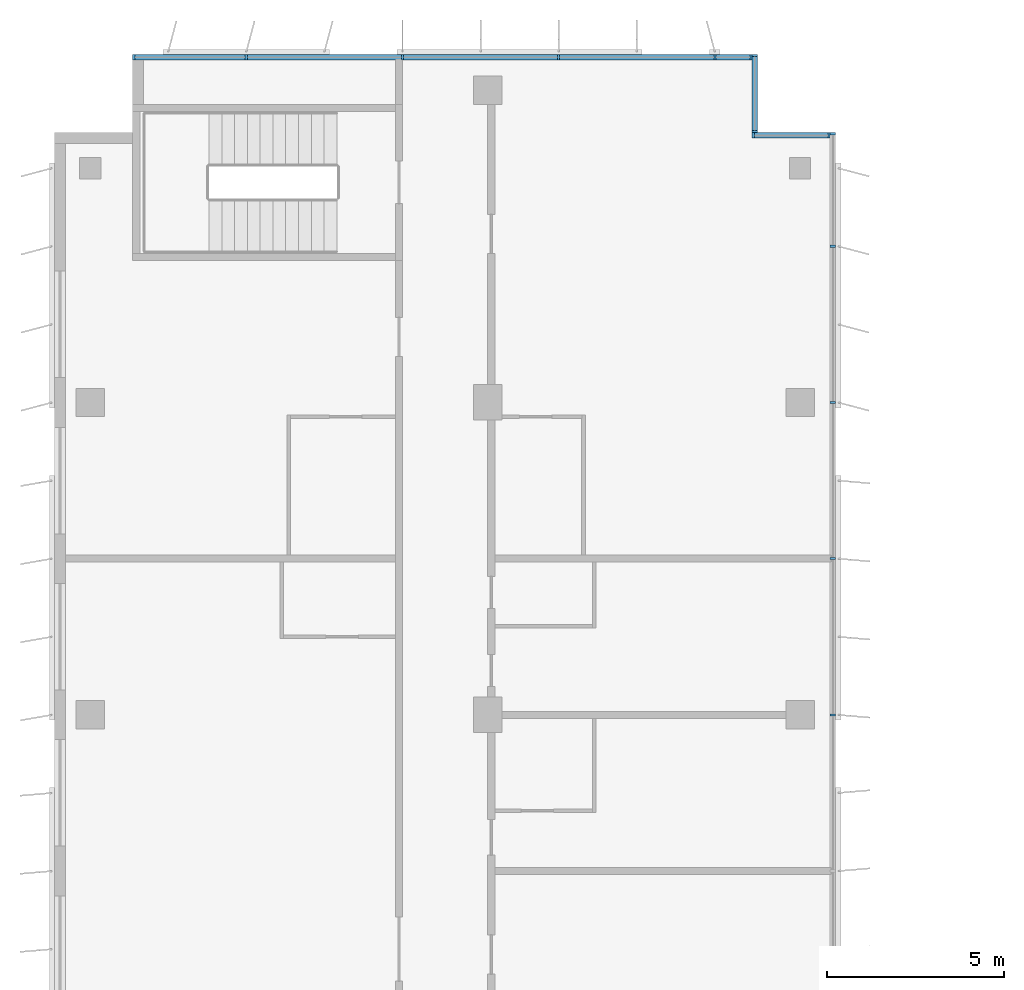
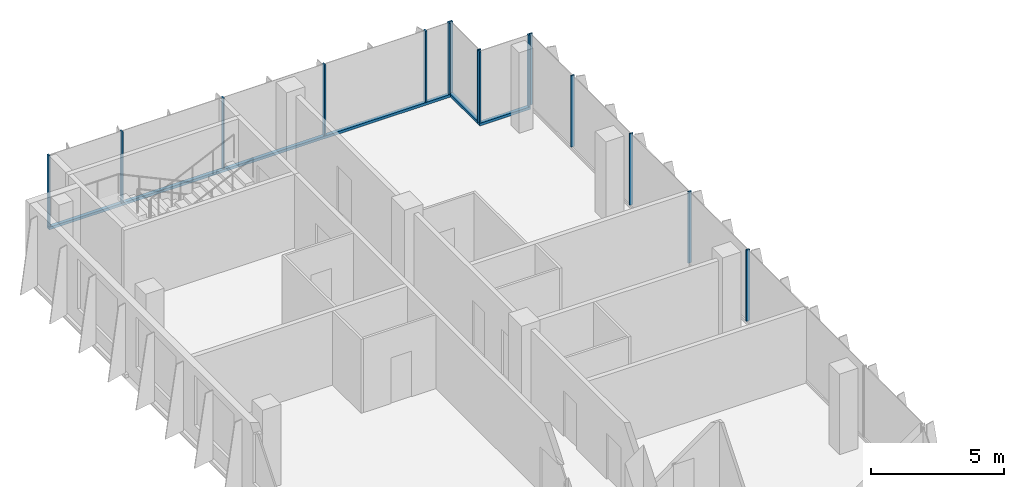
# One storey, part 6 of 15: 18 members, 4 elements without a shape of their own.
"""IFC4 building model written with IfcOpenShell, lengths in metres."""

from ifc_helpers import new_model, si_unit, direction, frame, origin, origin_2d, place, context, subcontext, project, spatial, rectangle, extrude, source, transform, mapped, material, material_profile, profile_set, type_object, element, aggregate, save


model = new_model("IFC4")

# Units and contexts
model_context = context("Model", 3, precision=1e-05, world=origin(), true_north=direction((0.0, 1.0)))
body_context = subcontext(model_context, "Body", "Model", "MODEL_VIEW")
ifc_project = project(units=[si_unit("LENGTHUNIT", "METRE"), si_unit("AREAUNIT", "SQUARE_METRE"), si_unit("VOLUMEUNIT", "CUBIC_METRE"), si_unit("PLANEANGLEUNIT", "RADIAN"), si_unit("MASSUNIT", "GRAM", prefix="KILO")], contexts=[model_context])

# Site, building, storey
site_placement = place(None, origin())
site = spatial("IfcSite", under=ifc_project, at=site_placement, CompositionType="ELEMENT")
building_placement = place(site_placement, origin())
building = spatial("IfcBuilding", under=site, at=building_placement, Name="Kemantara Hotel Tower", CompositionType="ELEMENT")
storey_placement = place(building_placement, frame((0.0, 0.0, 275.89990234375)))
storey = spatial("IfcBuildingStorey", under=building, at=storey_placement, Name="L69", CompositionType="ELEMENT", Elevation=275.89990234375)

# Curtain wall, member
ifc_material_1 = material(Name="Low-E tinted double insulated glass 36 mm", Category="glass")
curtain_wall_type = type_object("IfcCurtainWallType", Name="TOWER CURTAIN WALL, FRONT FACES", PredefinedType="USERDEFINED", material=ifc_material_1)
curtain_wall_1_placement = place(storey_placement, origin())
curtain_wall_1 = element("IfcCurtainWall", 1, at=curtain_wall_1_placement, inside=storey, type_object=curtain_wall_type, Name="CW4 L69 T4-R02-1", ObjectType="TOWER CURTAIN WALL, FRONT FACES", PredefinedType="USERDEFINED")
ifc_material_2 = material(Name="Aluminium 6063-T6 bronze anodised", Category="aluminium")
ifc_material_profile_1 = material_profile(ifc_material_2, rectangle(XDim=0.14990234375, YDim=0.1201171875, at=origin_2d()), Name="TOWER CURTAIN WALL, FRONT FACES TRANSOM")
ifc_profile_set_1 = profile_set([ifc_material_profile_1], Name="Aluminium 6063-T6 bronze anodised")
member_type_1 = type_object("IfcMemberType", Name="TOWER CURTAIN WALL, FRONT FACES TRANSOM", PredefinedType="USERDEFINED", material=ifc_profile_set_1)
member_1_placement = place(storey_placement, frame((19.64990234375, 63.52490234375, 0.06005859375), z_axis=(-1.0, 0.0, 0.0), x_axis=(0.0, -1.0, 0.0)))
member_1 = element("IfcMember", 2, at=member_1_placement, type_object=member_type_1, Name="CW4 sill transom T4-R02-1", ObjectType="TRANSOM", PredefinedType="USERDEFINED", context=body_context, shape_type="SweptSolid", body=[
    extrude(rectangle(XDim=0.14990234375, YDim=0.1201171875, at=origin_2d()), origin(), (0.0, 0.0, 1.0), 17.449951171875),
])

curtain_wall_2_placement = place(storey_placement, origin())
curtain_wall_2 = element("IfcCurtainWall", 3, at=curtain_wall_2_placement, inside=storey, type_object=curtain_wall_type, Name="CW4 L69 T4-R00-1", ObjectType="TOWER CURTAIN WALL, FRONT FACES", PredefinedType="USERDEFINED")
member_2_placement = place(storey_placement, frame((21.85009765625, 61.324951171875, 0.06005859375), z_axis=(-1.0, 0.0, 0.0), x_axis=(0.0, -1.0, 0.0)))
member_2 = element("IfcMember", 4, at=member_2_placement, type_object=member_type_1, Name="CW4 sill transom T4-R00-1", ObjectType="TRANSOM", PredefinedType="USERDEFINED", context=body_context, shape_type="SweptSolid", body=[
    extrude(rectangle(XDim=0.14990234375, YDim=0.1201171875, at=origin_2d()), origin(), (0.0, 0.0, 1.0), 2.2001953125),
])

curtain_wall_3_placement = place(storey_placement, origin())
curtain_wall_3 = element("IfcCurtainWall", 5, at=curtain_wall_3_placement, inside=storey, type_object=curtain_wall_type, Name="CW4 L69 T4-R01-1", ObjectType="TOWER CURTAIN WALL, FRONT FACES", PredefinedType="USERDEFINED")
member_3_placement = place(storey_placement, frame((19.72509765625, 61.39990234375, 0.06005859375), z_axis=(0.0, 1.0, 0.0), x_axis=(-1.0, 0.0, 0.0)))
member_3 = element("IfcMember", 6, at=member_3_placement, type_object=member_type_1, Name="CW4 sill transom T4-R01-1", ObjectType="TRANSOM", PredefinedType="USERDEFINED", context=body_context, shape_type="SweptSolid", body=[
    extrude(rectangle(XDim=0.14990234375, YDim=0.1201171875, at=origin_2d()), origin(), (0.0, 0.0, 1.0), 2.2001953125),
])

# Member
ifc_material_profile_2 = material_profile(ifc_material_2, rectangle(XDim=0.14990234375, YDim=0.06005859375, at=origin_2d()), Name="TOWER CURTAIN WALL, FRONT FACES MULLION")
ifc_profile_set_2 = profile_set([ifc_material_profile_2], Name="Aluminium 6063-T6 bronze anodised")
member_type_2 = type_object("IfcMemberType", Name="TOWER CURTAIN WALL, FRONT FACES MULLION", PredefinedType="MULLION", material=ifc_profile_set_2)
shared_shape = source(origin(), body_context, "Body", "SweptSolid", [
    extrude(rectangle(XDim=0.14990234375, YDim=0.06005859375, at=origin_2d()), origin(), (0.0, 0.0, 1.0), 3.280029296875),
])
member_4_placement = place(storey_placement, frame((19.6201171875, 63.52490234375, 0.1201171875), z_axis=(0.0, 0.0, 1.0), x_axis=(0.0, -1.0, 0.0)))
member_4 = element("IfcMember", 7, at=member_4_placement, type_object=member_type_2, Name="CW4 mullion T4-R02-1.1", PredefinedType="MULLION", context=body_context, shape_type="MappedRepresentation", body=[
    mapped(shared_shape, transform((0.0, 0.0, 0.0))),
])

member_5_placement = place(storey_placement, frame((18.60009765625, 63.52490234375, 0.1201171875), z_axis=(0.0, 0.0, 1.0), x_axis=(0.0, -1.0, 0.0)))
member_5 = element("IfcMember", 8, at=member_5_placement, type_object=member_type_2, Name="CW4 mullion T4-R02-1.2", PredefinedType="MULLION", context=body_context, shape_type="MappedRepresentation", body=[
    mapped(shared_shape, transform((0.0, 0.0, 0.0))),
])

member_6_placement = place(storey_placement, frame((14.199951171875, 63.52490234375, 0.1201171875), z_axis=(0.0, 0.0, 1.0), x_axis=(0.0, -1.0, 0.0)))
member_6 = element("IfcMember", 9, at=member_6_placement, type_object=member_type_2, Name="CW4 mullion T4-R02-1.3", PredefinedType="MULLION", context=body_context, shape_type="MappedRepresentation", body=[
    mapped(shared_shape, transform((0.0, 0.0, 0.0))),
])

member_7_placement = place(storey_placement, frame((9.800048828125, 63.52490234375, 0.1201171875), z_axis=(0.0, 0.0, 1.0), x_axis=(0.0, -1.0, 0.0)))
member_7 = element("IfcMember", 10, at=member_7_placement, type_object=member_type_2, Name="CW4 mullion T4-R02-1.4", PredefinedType="MULLION", context=body_context, shape_type="MappedRepresentation", body=[
    mapped(shared_shape, transform((0.0, 0.0, 0.0))),
])

member_8_placement = place(storey_placement, frame((5.39990234375, 63.52490234375, 0.1201171875), z_axis=(0.0, 0.0, 1.0), x_axis=(0.0, -1.0, 0.0)))
member_8 = element("IfcMember", 11, at=member_8_placement, type_object=member_type_2, Name="CW4 mullion T4-R02-1.5", PredefinedType="MULLION", context=body_context, shape_type="MappedRepresentation", body=[
    mapped(shared_shape, transform((0.0, 0.0, 0.0))),
])

member_9_placement = place(storey_placement, frame((2.22998046875, 63.52490234375, 0.1201171875), z_axis=(0.0, 0.0, 1.0), x_axis=(0.0, -1.0, 0.0)))
member_9 = element("IfcMember", 12, at=member_9_placement, type_object=member_type_2, Name="CW4 mullion T4-R02-1.6", PredefinedType="MULLION", context=body_context, shape_type="MappedRepresentation", body=[
    mapped(shared_shape, transform((0.0, 0.0, 0.0))),
])

aggregate(curtain_wall_1, [member_1, member_4, member_5, member_6, member_7, member_8, member_9])

# Curtain wall, members
curtain_wall_4_placement = place(storey_placement, origin())
curtain_wall_4 = element("IfcCurtainWall", 13, at=curtain_wall_4_placement, inside=storey, type_object=curtain_wall_type, Name="CW4 L69 T4-R15-1", ObjectType="TOWER CURTAIN WALL, FRONT FACES", PredefinedType="USERDEFINED")
member_10_placement = place(storey_placement, frame((21.925048828125, 45.0, 0.1201171875), z_axis=(0.0, 0.0, 1.0), x_axis=(-1.0, 0.0, 0.0)))
member_10 = element("IfcMember", 14, at=member_10_placement, type_object=member_type_2, Name="CW4 mullion T4-R15-1.6", PredefinedType="MULLION", context=body_context, shape_type="MappedRepresentation", body=[
    mapped(shared_shape, transform((0.0, 0.0, 0.0))),
])
member_11_placement = place(storey_placement, frame((21.925048828125, 49.39990234375, 0.1201171875), z_axis=(0.0, 0.0, 1.0), x_axis=(-1.0, 0.0, 0.0)))
member_11 = element("IfcMember", 15, at=member_11_placement, type_object=member_type_2, Name="CW4 mullion T4-R15-1.7", PredefinedType="MULLION", context=body_context, shape_type="MappedRepresentation", body=[
    mapped(shared_shape, transform((0.0, 0.0, 0.0))),
])
member_12_placement = place(storey_placement, frame((21.925048828125, 53.800048828125, 0.1201171875), z_axis=(0.0, 0.0, 1.0), x_axis=(-1.0, 0.0, 0.0)))
member_12 = element("IfcMember", 16, at=member_12_placement, type_object=member_type_2, Name="CW4 mullion T4-R15-1.8", PredefinedType="MULLION", context=body_context, shape_type="MappedRepresentation", body=[
    mapped(shared_shape, transform((0.0, 0.0, 0.0))),
])
member_13_placement = place(storey_placement, frame((21.925048828125, 58.199951171875, 0.1201171875), z_axis=(0.0, 0.0, 1.0), x_axis=(-1.0, 0.0, 0.0)))
member_13 = element("IfcMember", 17, at=member_13_placement, type_object=member_type_2, Name="CW4 mullion T4-R15-1.9", PredefinedType="MULLION", context=body_context, shape_type="MappedRepresentation", body=[
    mapped(shared_shape, transform((0.0, 0.0, 0.0))),
])
member_14_placement = place(storey_placement, frame((21.925048828125, 61.3701171875, 0.1201171875), z_axis=(0.0, 0.0, 1.0), x_axis=(-1.0, 0.0, 0.0)))
member_14 = element("IfcMember", 18, at=member_14_placement, type_object=member_type_2, Name="CW4 mullion T4-R15-1.10", PredefinedType="MULLION", context=body_context, shape_type="MappedRepresentation", body=[
    mapped(shared_shape, transform((0.0, 0.0, 0.0))),
])
aggregate(curtain_wall_4, [member_10, member_11, member_12, member_13, member_14])

# Member
member_15_placement = place(storey_placement, frame((21.820068359375, 61.324951171875, 0.1201171875), z_axis=(0.0, 0.0, 1.0), x_axis=(0.0, -1.0, 0.0)))
member_15 = element("IfcMember", 19, at=member_15_placement, type_object=member_type_2, Name="CW4 mullion T4-R00-1.1", PredefinedType="MULLION", context=body_context, shape_type="MappedRepresentation", body=[
    mapped(shared_shape, transform((0.0, 0.0, 0.0))),
])

member_16_placement = place(storey_placement, frame((19.679931640625, 61.324951171875, 0.1201171875), z_axis=(0.0, 0.0, 1.0), x_axis=(0.0, -1.0, 0.0)))
member_16 = element("IfcMember", 20, at=member_16_placement, type_object=member_type_2, Name="CW4 mullion T4-R00-1.2", PredefinedType="MULLION", context=body_context, shape_type="MappedRepresentation", body=[
    mapped(shared_shape, transform((0.0, 0.0, 0.0))),
])

aggregate(curtain_wall_2, [member_2, member_15, member_16])

member_17_placement = place(storey_placement, frame((19.72509765625, 61.429931640625, 0.1201171875), z_axis=(0.0, 0.0, 1.0), x_axis=(-1.0, 0.0, 0.0)))
member_17 = element("IfcMember", 21, at=member_17_placement, type_object=member_type_2, Name="CW4 mullion T4-R01-1.1", PredefinedType="MULLION", context=body_context, shape_type="MappedRepresentation", body=[
    mapped(shared_shape, transform((0.0, 0.0, 0.0))),
])

member_18_placement = place(storey_placement, frame((19.72509765625, 63.570068359375, 0.1201171875), z_axis=(0.0, 0.0, 1.0), x_axis=(-1.0, 0.0, 0.0)))
member_18 = element("IfcMember", 22, at=member_18_placement, type_object=member_type_2, Name="CW4 mullion T4-R01-1.2", PredefinedType="MULLION", context=body_context, shape_type="MappedRepresentation", body=[
    mapped(shared_shape, transform((0.0, 0.0, 0.0))),
])

aggregate(curtain_wall_3, [member_3, member_17, member_18])

save(model, "model.ifc")
